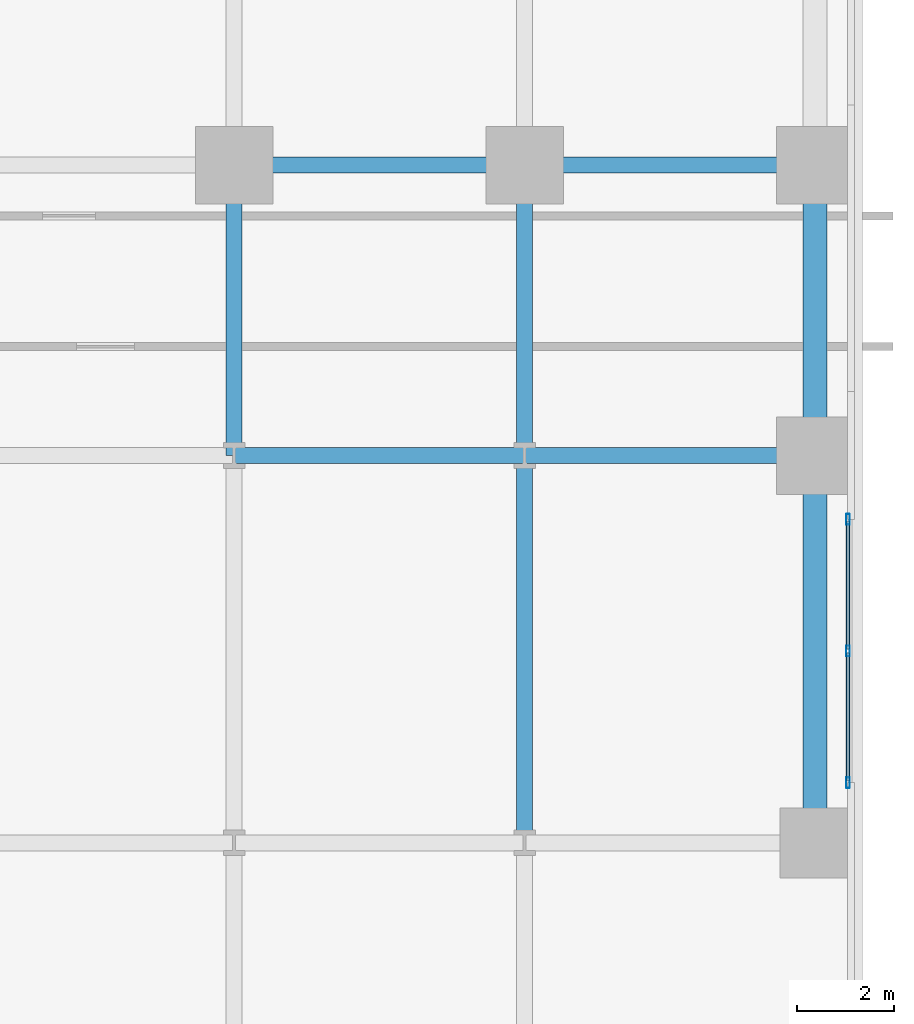
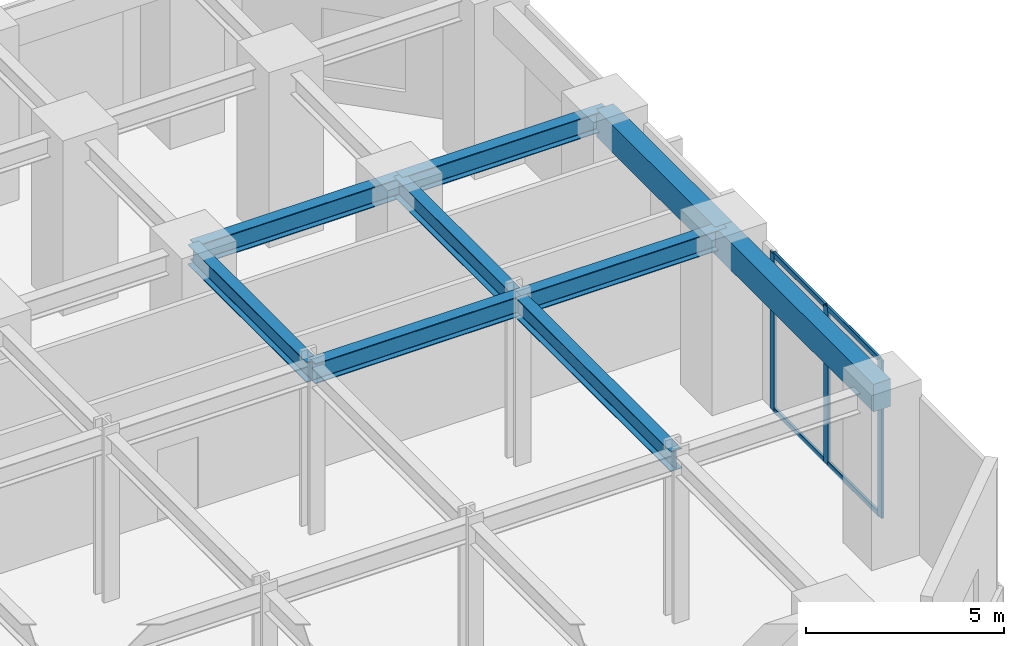
# One storey, part 22 of 33: 9 beams, 7 members, 1 element without a shape of its own.
"""IFC4 building model written with IfcOpenShell, lengths in metres."""

from ifc_helpers import new_model, si_unit, direction, frame, origin, origin_2d, place, context, subcontext, project, spatial, rectangle, hollow_rectangle, i_section, extrude, source, transform, mapped, material, material_profile, profile_set, type_object, element, aggregate, save


model = new_model("IFC4")

# Units and contexts
model_context = context("Model", 3, precision=1e-05, world=origin(), true_north=direction((0.0, 1.0)))
body_context = subcontext(model_context, "Body", "Model", "MODEL_VIEW")
ifc_project = project(units=[si_unit("LENGTHUNIT", "METRE"), si_unit("AREAUNIT", "SQUARE_METRE"), si_unit("VOLUMEUNIT", "CUBIC_METRE"), si_unit("PLANEANGLEUNIT", "RADIAN"), si_unit("MASSUNIT", "GRAM", prefix="KILO")], contexts=[model_context])

# Site, building, storey
site_placement = place(None, origin())
site = spatial("IfcSite", under=ifc_project, at=site_placement, CompositionType="ELEMENT")
building_placement = place(site_placement, origin())
building = spatial("IfcBuilding", under=site, at=building_placement, Name="Torre Montelarca", CompositionType="ELEMENT")
storey_placement = place(building_placement, frame((0.0, 0.0, 12.0)))
storey = spatial("IfcBuildingStorey", under=building, at=storey_placement, Name="L03", CompositionType="ELEMENT", Elevation=12.0)

# Beams
ifc_material_1 = material(Name="Concrete C55/67", Category="concrete")
ifc_material_profile_1 = material_profile(ifc_material_1, rectangle(XDim=0.5, YDim=0.85009765625, at=origin_2d()), Name="RCB500X850", Category="concrete")
ifc_profile_set_1 = profile_set([ifc_material_profile_1], Name="Concrete C55/67")
beam_type_1 = type_object("IfcBeamType", Name="BM-SP-RC850-EXT", PredefinedType="SPANDREL", material=ifc_profile_set_1)
shared_shape_1 = source(origin(), body_context, "Body", "SweptSolid", [
    extrude(rectangle(XDim=0.5, YDim=0.85009765625, at=origin_2d()), origin(), (0.0, 0.0, 1.0), 6.0),
])
beam_1_placement = place(storey_placement, frame((78.0, 40.0, 4.715087890625), z_axis=(0.0, 1.0, 0.0), x_axis=(-1.0, 0.0, 0.0)))
element("IfcBeam", 1, at=beam_1_placement, inside=storey, type_object=beam_type_1, Name="L03 Grid Girder Y 40.0-46.0 at X=78.0", PredefinedType="SPANDREL", context=body_context, shape_type="MappedRepresentation", body=[
    mapped(shared_shape_1, transform((0.0, 0.0, 0.0), scale=1.0)),
])
ifc_material_2 = material(Name="Steel ASTM A992 Grade 50", Category="steel")
ifc_material_profile_2 = material_profile(ifc_material_2, i_section(OverallWidth=0.326904296875, OverallDepth=0.6220703125, WebThickness=0.015380859375, FlangeThickness=0.0244140625, FilletRadius=0.014892578125, at=origin_2d()), Name="W610X195", Category="steel")
ifc_profile_set_2 = profile_set([ifc_material_profile_2], Name="Steel ASTM A992 Grade 50")
beam_type_2 = type_object("IfcBeamType", Name="BM-G-W610H", PredefinedType="BEAM", material=ifc_profile_set_2)
shared_shape_2 = source(origin(), body_context, "Body", "SweptSolid", [
    extrude(i_section(OverallWidth=0.326904296875, OverallDepth=0.6220703125, WebThickness=0.015380859375, FlangeThickness=0.0244140625, FilletRadius=0.014892578125, at=origin_2d()), origin(), (0.0, 0.0, 1.0), 6.0),
])
for number, where, z_axis, x_axis, name in (
    (2, (66.0, 40.0, 4.8291015625), (1.0, 0.0, 0.0), (0.0, 1.0, 0.0), "L03 Grid Girder X 66.0-72.0 at Y=40.0"),
    (3, (72.0, 40.0, 4.8291015625), (1.0, 0.0, 0.0), (0.0, 1.0, 0.0), "L03 Grid Girder X 72.0-78.0 at Y=40.0"),
    (4, (66.0, 46.0, 4.8291015625), (1.0, 0.0, 0.0), (0.0, 1.0, 0.0), "L03 Grid Girder X 66.0-72.0 at Y=46.0"),
    (5, (72.0, 46.0, 4.8291015625), (1.0, 0.0, 0.0), (0.0, 1.0, 0.0), "L03 Grid Girder X 72.0-78.0 at Y=46.0"),
    (6, (66.0, 40.0, 4.8291015625), (0.0, 1.0, 0.0), (-1.0, 0.0, 0.0), "L03 Grid Girder Y 40.0-46.0 at X=66.0"),
    (7, (72.0, 40.0, 4.8291015625), (0.0, 1.0, 0.0), (-1.0, 0.0, 0.0), "L03 Grid Girder Y 40.0-46.0 at X=72.0"),
):
    element("IfcBeam", number, at=place(storey_placement, frame(where, z_axis=z_axis, x_axis=x_axis)), inside=storey, type_object=beam_type_2, Name=name, PredefinedType="BEAM", context=body_context, shape_type="MappedRepresentation", body=[
        mapped(shared_shape_2, transform((0.0, 0.0, 0.0), scale=1.0)),
    ])
shared_shape_3 = source(origin(), body_context, "Body", "SweptSolid", [
    extrude(rectangle(XDim=0.5, YDim=0.85009765625, at=origin_2d()), origin(), (0.0, 0.0, 1.0), 8.0),
])
beam_2_placement = place(storey_placement, frame((78.0, 32.0, 4.715087890625), z_axis=(0.0, 1.0, 0.0), x_axis=(-1.0, 0.0, 0.0)))
element("IfcBeam", 8, at=beam_2_placement, inside=storey, type_object=beam_type_1, Name="L03 Grid Girder Y 32.0-40.0 at X=78.0", PredefinedType="SPANDREL", context=body_context, shape_type="MappedRepresentation", body=[
    mapped(shared_shape_3, transform((0.0, 0.0, 0.0), scale=1.0)),
])
shared_shape_4 = source(origin(), body_context, "Body", "SweptSolid", [
    extrude(i_section(OverallWidth=0.326904296875, OverallDepth=0.6220703125, WebThickness=0.015380859375, FlangeThickness=0.0244140625, FilletRadius=0.014892578125, at=origin_2d()), origin(), (0.0, 0.0, 1.0), 8.0),
])
beam_3_placement = place(storey_placement, frame((72.0, 32.0, 4.8291015625), z_axis=(0.0, 1.0, 0.0), x_axis=(-1.0, 0.0, 0.0)))
element("IfcBeam", 9, at=beam_3_placement, inside=storey, type_object=beam_type_2, Name="L03 Grid Girder Y 32.0-40.0 at X=72.0", PredefinedType="BEAM", context=body_context, shape_type="MappedRepresentation", body=[
    mapped(shared_shape_4, transform((0.0, 0.0, 0.0), scale=1.0)),
])

# Curtain wall, members
ifc_material_3 = material(Name="Insulated low-E laminated glass", Category="glass")
curtain_wall_type = type_object("IfcCurtainWallType", Name="CW-SYS-POD2", PredefinedType="USERDEFINED", material=ifc_material_3)
curtain_wall_placement = place(storey_placement, origin())
curtain_wall = element("IfcCurtainWall", 10, at=curtain_wall_placement, inside=storey, type_object=curtain_wall_type, Name="L03 Curtain Wall Run CW-T3-L03-E06-B1", ObjectType="UNITISED GLAZING", PredefinedType="USERDEFINED")
ifc_material_4 = material(Name="Anodised aluminium AA 6063-T6", Category="aluminium")
ifc_material_profile_3 = material_profile(ifc_material_4, hollow_rectangle(XDim=0.074951171875, YDim=0.159912109375, WallThickness=0.0048828125, InnerFilletRadius=0.0048828125, OuterFilletRadius=0.010009765625, at=origin_2d()), Name="ALU75X160X5", Category="aluminium")
ifc_profile_set_3 = profile_set([ifc_material_profile_3], Name="Anodised aluminium AA 6063-T6")
member_type_1 = type_object("IfcMemberType", Name="CWT-ALU160", PredefinedType="USERDEFINED", material=ifc_profile_set_3)
shared_shape_5 = source(origin(), body_context, "Body", "SweptSolid", [
    extrude(hollow_rectangle(XDim=0.074951171875, YDim=0.159912109375, WallThickness=0.0048828125, InnerFilletRadius=0.0048828125, OuterFilletRadius=0.010009765625, at=origin_2d()), origin(), (0.0, 0.0, 1.0), 2.64501953125),
])
member_1_placement = place(storey_placement, frame((78.679931640625, 33.280029296875, 0.03759765625), z_axis=(0.0, 1.0, 0.0), x_axis=(-1.0, 0.0, 0.0)))
member_1 = element("IfcMember", 11, at=member_1_placement, type_object=member_type_1, Name="CW transom 1.1", ObjectType="TRANSOM", PredefinedType="USERDEFINED", context=body_context, shape_type="MappedRepresentation", body=[
    mapped(shared_shape_5, transform((0.0, 0.0, 0.0), scale=1.0)),
])
member_2_placement = place(storey_placement, frame((78.679931640625, 33.280029296875, 4.8125), z_axis=(0.0, 1.0, 0.0), x_axis=(-1.0, 0.0, 0.0)))
member_2 = element("IfcMember", 12, at=member_2_placement, type_object=member_type_1, Name="CW transom 1.2", ObjectType="TRANSOM", PredefinedType="USERDEFINED", context=body_context, shape_type="MappedRepresentation", body=[
    mapped(shared_shape_5, transform((0.0, 0.0, 0.0), scale=1.0)),
])
member_3_placement = place(storey_placement, frame((78.679931640625, 36.0, 0.03759765625), z_axis=(0.0, 1.0, 0.0), x_axis=(-1.0, 0.0, 0.0)))
member_3 = element("IfcMember", 13, at=member_3_placement, type_object=member_type_1, Name="CW transom 2.1", ObjectType="TRANSOM", PredefinedType="USERDEFINED", context=body_context, shape_type="MappedRepresentation", body=[
    mapped(shared_shape_5, transform((0.0, 0.0, 0.0), scale=1.0)),
])
member_4_placement = place(storey_placement, frame((78.679931640625, 36.0, 4.8125), z_axis=(0.0, 1.0, 0.0), x_axis=(-1.0, 0.0, 0.0)))
member_4 = element("IfcMember", 14, at=member_4_placement, type_object=member_type_1, Name="CW transom 2.2", ObjectType="TRANSOM", PredefinedType="USERDEFINED", context=body_context, shape_type="MappedRepresentation", body=[
    mapped(shared_shape_5, transform((0.0, 0.0, 0.0), scale=1.0)),
])
ifc_material_profile_4 = material_profile(ifc_material_4, hollow_rectangle(XDim=0.074951171875, YDim=0.219970703125, WallThickness=0.0048828125, InnerFilletRadius=0.0048828125, OuterFilletRadius=0.010009765625, at=origin_2d()), Name="ALU75X220X5", Category="aluminium")
ifc_profile_set_4 = profile_set([ifc_material_profile_4], Name="Anodised aluminium AA 6063-T6")
member_type_2 = type_object("IfcMemberType", Name="CWM-ALU220", PredefinedType="MULLION", material=ifc_profile_set_4)
shared_shape_6 = source(origin(), body_context, "Body", "SweptSolid", [
    extrude(hollow_rectangle(XDim=0.074951171875, YDim=0.219970703125, WallThickness=0.0048828125, InnerFilletRadius=0.0048828125, OuterFilletRadius=0.010009765625, at=origin_2d()), origin(), (0.0, 0.0, 1.0), 4.85009765625),
])
member_5_placement = place(storey_placement, frame((78.679931640625, 33.242431640625, 0.0), z_axis=(0.0, 0.0, 1.0), x_axis=(-1.0, 0.0, 0.0)))
member_5 = element("IfcMember", 15, at=member_5_placement, type_object=member_type_2, Name="CW mullion 1", PredefinedType="MULLION", context=body_context, shape_type="MappedRepresentation", body=[
    mapped(shared_shape_6, transform((0.0, 0.0, 0.0), scale=1.0)),
])
member_6_placement = place(storey_placement, frame((78.679931640625, 35.96240234375, 0.0), z_axis=(0.0, 0.0, 1.0), x_axis=(-1.0, 0.0, 0.0)))
member_6 = element("IfcMember", 16, at=member_6_placement, type_object=member_type_2, Name="CW mullion 2", PredefinedType="MULLION", context=body_context, shape_type="MappedRepresentation", body=[
    mapped(shared_shape_6, transform((0.0, 0.0, 0.0), scale=1.0)),
])
member_7_placement = place(storey_placement, frame((78.679931640625, 38.6826171875, 0.0), z_axis=(0.0, 0.0, 1.0), x_axis=(-1.0, 0.0, 0.0)))
member_7 = element("IfcMember", 17, at=member_7_placement, type_object=member_type_2, Name="CW mullion 3", PredefinedType="MULLION", context=body_context, shape_type="MappedRepresentation", body=[
    mapped(shared_shape_6, transform((0.0, 0.0, 0.0), scale=1.0)),
])
aggregate(curtain_wall, [member_5, member_6, member_7, member_1, member_2, member_3, member_4])

save(model, "model.ifc")
